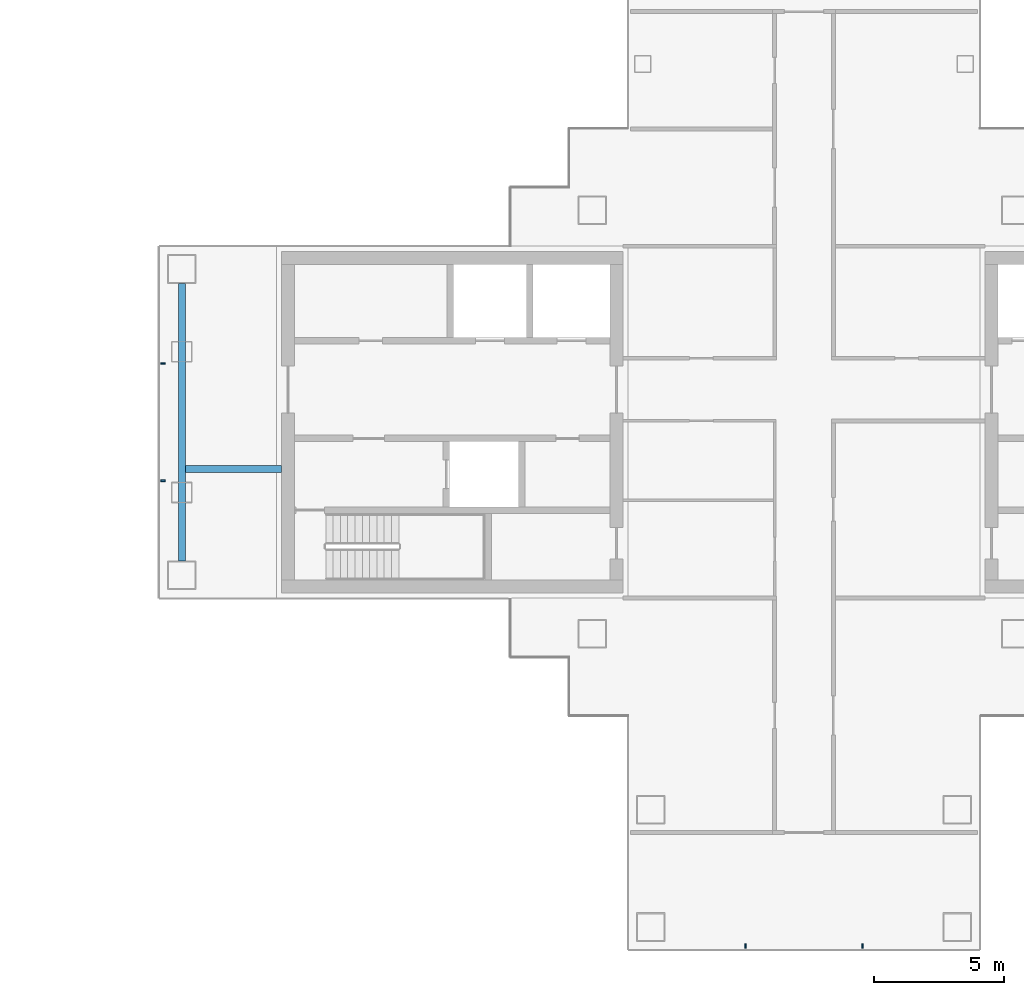
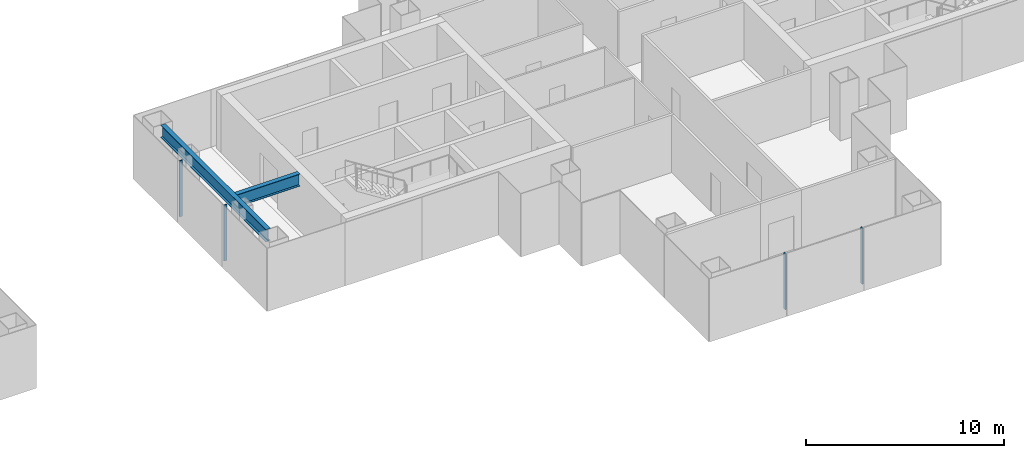
# One storey, part 5 of 16: 4 members, 2 beams, 2 elements without a shape of their own.
"""IFC4 building model written with IfcOpenShell, lengths in metres."""

from ifc_helpers import new_model, si_unit, direction, frame, origin, origin_2d, place, context, subcontext, project, spatial, rectangle, i_section, extrude, material, layer, layer_set, material_profile, profile_set, type_object, element, aggregate, save


model = new_model("IFC4")

# Units and contexts
model_context = context("Model", 3, precision=1e-05, world=origin(), true_north=direction((0.0, 1.0)))
body_context = subcontext(model_context, "Body", "Model", "MODEL_VIEW")
ifc_project = project(units=[si_unit("LENGTHUNIT", "METRE"), si_unit("AREAUNIT", "SQUARE_METRE"), si_unit("VOLUMEUNIT", "CUBIC_METRE"), si_unit("PLANEANGLEUNIT", "RADIAN"), si_unit("MASSUNIT", "GRAM", prefix="KILO")], contexts=[model_context])

# Site, building, storey
site_placement = place(None, origin())
site = spatial("IfcSite", under=ifc_project, at=site_placement, CompositionType="ELEMENT")
building_placement = place(site_placement, origin())
building = spatial("IfcBuilding", under=site, at=building_placement, Name="Shamsa Quay Exchange Towers", CompositionType="ELEMENT")
storey_placement = place(building_placement, frame((0.0, 0.0, 154.5)))
storey = spatial("IfcBuildingStorey", under=building, at=storey_placement, Name="L36", CompositionType="ELEMENT", Elevation=154.5)

# Curtain wall, members
ifc_material_1 = material(Name="Aluminium EN AW-6063 T6, black anodised", Category="aluminium")
ifc_layer = layer(ifc_material_1, 0.280029296875)
ifc_layer_set = layer_set([ifc_layer], Name="CW-1 UNITISED VISION GLASS")
curtain_wall_type = type_object("IfcCurtainWallType", Name="CW-1 UNITISED VISION GLASS", PredefinedType="NOTDEFINED", material=ifc_layer_set)
curtain_wall_1_placement = place(storey_placement, origin())
curtain_wall_1 = element("IfcCurtainWall", 1, at=curtain_wall_1_placement, inside=storey, type_object=curtain_wall_type, Name="CW1 T2-END-V+ L36", PredefinedType="NOTDEFINED")
ifc_material_profile_1 = material_profile(ifc_material_1, rectangle(XDim=0.179931640625, YDim=0.06005859375, at=origin_2d()), Name="MU60x180")
ifc_profile_set_1 = profile_set([ifc_material_profile_1], Name="Aluminium EN AW-6063 T6, black anodised")
member_type = type_object("IfcMemberType", Name="CW1 MULLION 60x180", PredefinedType="MULLION", material=ifc_profile_set_1)
member_1_placement = place(storey_placement, frame((9.14990234375, 2.25, 0.0)))
member_1 = element("IfcMember", 2, at=member_1_placement, type_object=member_type, Name="CW1 mullion", PredefinedType="MULLION", context=body_context, shape_type="SweptSolid", body=[
    extrude(rectangle(XDim=0.179931640625, YDim=0.06005859375, at=origin_2d()), origin(), (0.0, 0.0, 1.0), 3.449951171875),
])
member_2_placement = place(storey_placement, frame((9.14990234375, -2.25, 0.0)))
member_2 = element("IfcMember", 3, at=member_2_placement, type_object=member_type, Name="CW1 mullion", PredefinedType="MULLION", context=body_context, shape_type="SweptSolid", body=[
    extrude(rectangle(XDim=0.179931640625, YDim=0.06005859375, at=origin_2d()), origin(), (0.0, 0.0, 1.0), 3.449951171875),
])
aggregate(curtain_wall_1, [member_1, member_2])

curtain_wall_2_placement = place(storey_placement, origin())
curtain_wall_2 = element("IfcCurtainWall", 4, at=curtain_wall_2_placement, inside=storey, type_object=curtain_wall_type, Name="CW1 T2-END-U- L36", PredefinedType="NOTDEFINED")
member_3_placement = place(storey_placement, frame((31.5, -20.10009765625, 0.0), z_axis=(0.0, 0.0, 1.0), x_axis=(0.0, 1.0, 0.0)))
member_3 = element("IfcMember", 5, at=member_3_placement, type_object=member_type, Name="CW1 mullion", PredefinedType="MULLION", context=body_context, shape_type="SweptSolid", body=[
    extrude(rectangle(XDim=0.179931640625, YDim=0.06005859375, at=origin_2d()), origin(), (0.0, 0.0, 1.0), 3.449951171875),
])
member_4_placement = place(storey_placement, frame((36.0, -20.10009765625, 0.0), z_axis=(0.0, 0.0, 1.0), x_axis=(0.0, 1.0, 0.0)))
member_4 = element("IfcMember", 6, at=member_4_placement, type_object=member_type, Name="CW1 mullion", PredefinedType="MULLION", context=body_context, shape_type="SweptSolid", body=[
    extrude(rectangle(XDim=0.179931640625, YDim=0.06005859375, at=origin_2d()), origin(), (0.0, 0.0, 1.0), 3.449951171875),
])
aggregate(curtain_wall_2, [member_3, member_4])

# Beams
ifc_material_2 = material(Name="Steel S355", Category="steel")
ifc_material_profile_2 = material_profile(ifc_material_2, i_section(OverallWidth=0.26611328125, OverallDepth=0.7578125, WebThickness=0.013916015625, FlangeThickness=0.019287109375, at=origin_2d()), Name="W30x108")
ifc_profile_set_2 = profile_set([ifc_material_profile_2], Name="Steel S355")
beam_type = type_object("IfcBeamType", Name="End-zone beam W30x108", PredefinedType="BEAM", material=ifc_profile_set_2)
beam_1_placement = place(storey_placement, frame((9.875, -5.324951171875, 3.171142578125), z_axis=(0.0, 1.0, 0.0), x_axis=(-1.0, 0.0, 0.0)))
element("IfcBeam", 7, at=beam_1_placement, inside=storey, type_object=beam_type, Name="End beam T2 V+ end zone L36", PredefinedType="BEAM", context=body_context, shape_type="SweptSolid", body=[
    extrude(i_section(OverallWidth=0.26611328125, OverallDepth=0.7578125, WebThickness=0.013916015625, FlangeThickness=0.019287109375, at=origin_2d()), origin(), (0.0, 0.0, 1.0), 10.64990234375),
])
beam_2_placement = place(storey_placement, frame((13.699951171875, -1.800048828125, 3.171142578125), z_axis=(-1.0, 0.0, 0.0), x_axis=(0.0, -1.0, 0.0)))
element("IfcBeam", 8, at=beam_2_placement, inside=storey, type_object=beam_type, Name="Spine beam T2 V+ end zone L36", PredefinedType="BEAM", context=body_context, shape_type="SweptSolid", body=[
    extrude(i_section(OverallWidth=0.26611328125, OverallDepth=0.7578125, WebThickness=0.013916015625, FlangeThickness=0.019287109375, at=origin_2d()), origin(), (0.0, 0.0, 1.0), 3.69189453125),
])

save(model, "model.ifc")
